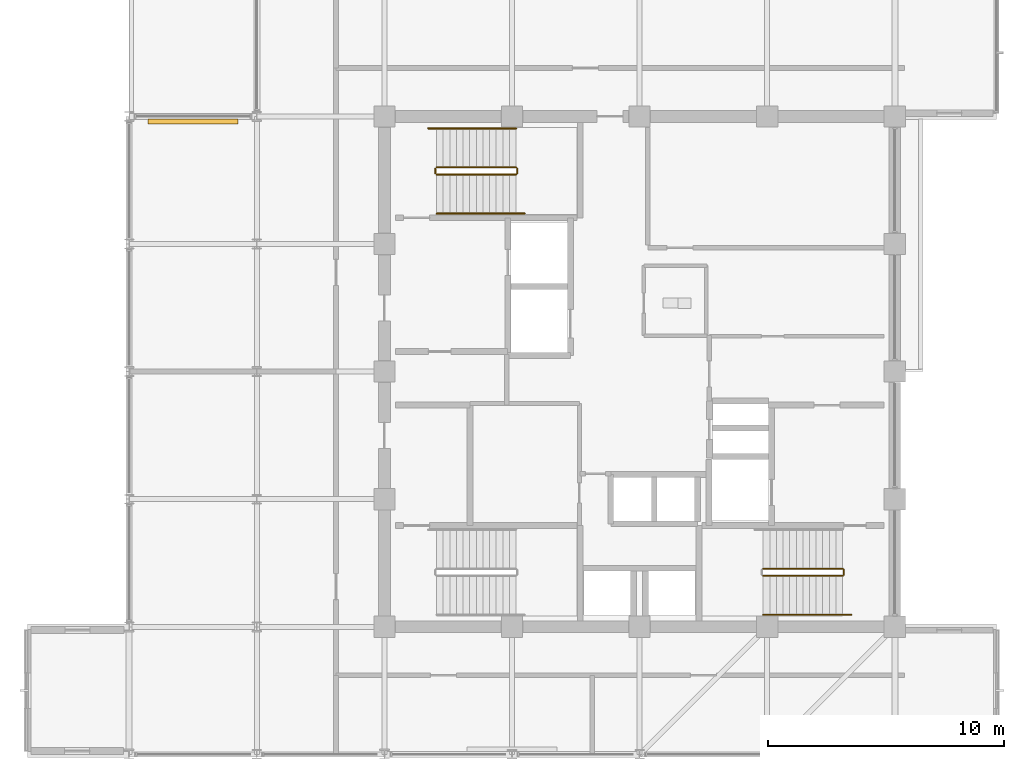
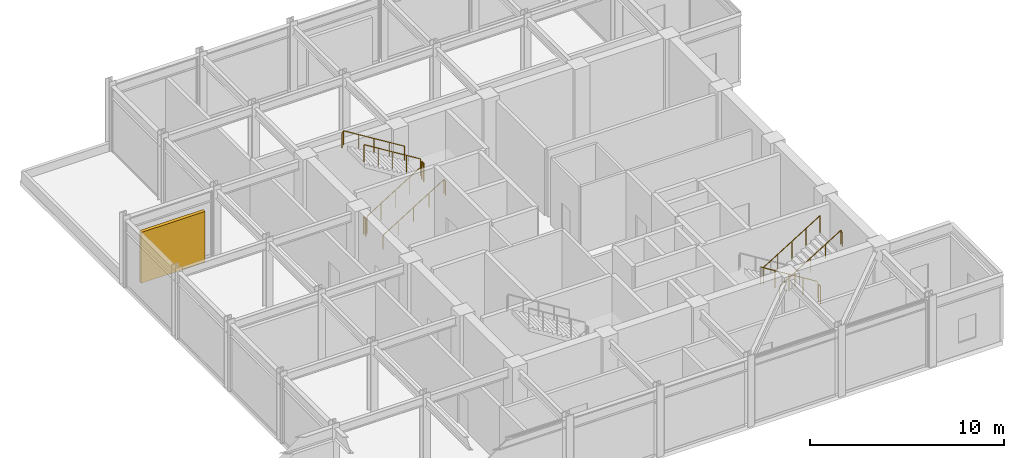
# One storey, part 20 of 22: 10 railings, 1 shading device.
"""IFC4 building model written with IfcOpenShell, lengths in metres."""

import ifcopenshell
import ifcopenshell.guid

model = None  # the IFC model being written
_history = None  # IfcOwnerHistory: only IFC2X3 demands one
_inside = {}  # id of a spatial element -> (the spatial element, [elements in it])
_under = {}  # id of a project, library or spatial element -> (it, [spatial elements below it])
_declared = {}  # id of a project -> (the project, [libraries it declares])
_typed = {}  # id of a type object -> (the type object, [elements of that type])
_made_of = {}  # id of a material, layer set ... -> (it, [elements and type objects made of it])


def new_model(schema):
    """Start an empty IFC model of exactly this schema.

    Asked for "IFC4X3", IfcOpenShell would pick the latest addendum, in which some entities
    have other attributes; the version numbers below select the first issue.
    IFC2X3 requires an IfcOwnerHistory on every rooted entity: one is made here for all.
    """
    global model, _history
    if schema == "IFC4X3":
        model = ifcopenshell.file(schema_version=(4, 3, 0, 0))
    else:
        model = ifcopenshell.file(schema=schema)
    _inside.clear()
    _under.clear()
    _declared.clear()
    _typed.clear()
    _made_of.clear()
    _history = None
    if model.schema == "IFC2X3":
        org = make("IfcOrganization", Name="unknown")
        user = make(
            "IfcPersonAndOrganization",
            ThePerson=make("IfcPerson", FamilyName="unknown"),
            TheOrganization=org,
        )
        app = make(
            "IfcApplication",
            ApplicationDeveloper=org,
            Version="unknown",
            ApplicationFullName="unknown",
            ApplicationIdentifier="unknown",
        )
        _history = make(
            "IfcOwnerHistory",
            OwningUser=user,
            OwningApplication=app,
            ChangeAction="ADDED",
            CreationDate=0,
        )
    return model


def make(cls, **values):
    """One entity of the class cls with the attributes given. An attribute that is None is left unset."""
    return model.create_entity(
        cls, **{name: value for name, value in values.items() if value is not None}
    )


def rooted(cls, **values):
    """An entity with a GlobalId (a new one), such as an element, a storey or a relation."""
    return make(cls, GlobalId=ifcopenshell.guid.new(), OwnerHistory=_history, **values)


def si_unit(unit_type, name, prefix=None):
    """IfcSIUnit, for example si_unit("LENGTHUNIT", "METRE", prefix="MILLI")."""
    return make("IfcSIUnit", UnitType=unit_type, Prefix=prefix, Name=name)


def assignment(units):
    """IfcUnitAssignment: the units of a project."""
    return None if units is None else make("IfcUnitAssignment", Units=units)


def point(xyz):
    """IfcCartesianPoint."""
    return None if xyz is None else make("IfcCartesianPoint", Coordinates=xyz)


def direction(xyz):
    """IfcDirection."""
    return None if xyz is None else make("IfcDirection", DirectionRatios=xyz)


def frame(location, z_axis=None, x_axis=None):
    """IfcAxis2Placement3D, a coordinate frame: its origin and axes. An axis left out is left unset."""
    return make(
        "IfcAxis2Placement3D",
        Location=point(location),
        Axis=direction(z_axis),
        RefDirection=direction(x_axis),
    )


def frame_2d(location, x_axis=None):
    """IfcAxis2Placement2D, a coordinate frame in the plane: its origin and x axis."""
    return make(
        "IfcAxis2Placement2D", Location=point(location), RefDirection=direction(x_axis)
    )


def origin():
    """The frame at (0, 0, 0) with its axes left unset."""
    return frame((0.0, 0.0, 0.0))


def origin_2d():
    """The frame at (0, 0) in the plane with its x axis left unset."""
    return frame_2d((0.0, 0.0))


def place(relative_to, where):
    """IfcLocalPlacement: puts the frame where relative to a parent placement (None: the world)."""
    return make(
        "IfcLocalPlacement", PlacementRelTo=relative_to, RelativePlacement=where
    )


def context(
    kind, dimensions, precision=None, world=None, true_north=None, identifier=None
):
    """IfcGeometricRepresentationContext, for example the 3D "Model" context."""
    return make(
        "IfcGeometricRepresentationContext",
        ContextIdentifier=identifier,
        ContextType=kind,
        CoordinateSpaceDimension=dimensions,
        Precision=precision,
        WorldCoordinateSystem=world,
        TrueNorth=true_north,
    )


def subcontext(parent, identifier, kind, view, scale=None):
    """IfcGeometricRepresentationSubContext, for example "Body" below "Model"."""
    return make(
        "IfcGeometricRepresentationSubContext",
        ContextIdentifier=identifier,
        ContextType=kind,
        ParentContext=parent,
        TargetScale=scale,
        TargetView=view,
    )


def project(units=None, contexts=None):
    """IfcProject with its units and contexts."""
    return rooted(
        "IfcProject",
        Name="project",
        RepresentationContexts=contexts,
        UnitsInContext=assignment(units),
    )


def spatial(cls, under=None, at=None, **own):
    """A site, building, storey or space (cls), placed at a placement, below another one or the project."""
    s = rooted(cls, ObjectPlacement=at, **own)
    if under is not None:
        _under.setdefault(under.id(), (under, []))[1].append(s)
    return s


def profile(cls, at=None, kind="AREA", **sizes):
    """A parametric profile (cls). Its sizes go by their IFC names, for example OverallWidth=200.0."""
    return make(cls, ProfileType=kind, Position=at, **sizes)


def rectangle(**sizes):
    """IfcRectangleProfileDef."""
    return profile("IfcRectangleProfileDef", **sizes)


def circle(**sizes):
    """IfcCircleProfileDef."""
    return profile("IfcCircleProfileDef", **sizes)


def extrude(swept, where, along, depth):
    """IfcExtrudedAreaSolid: the profile swept, set in the frame where, extruded along a direction by depth."""
    return make(
        "IfcExtrudedAreaSolid",
        SweptArea=swept,
        Position=where,
        ExtrudedDirection=direction(along),
        Depth=depth,
    )


def shape(context_of_items, identifier, shape_type, items):
    """IfcShapeRepresentation: the items that make up one representation, for example the "Body"."""
    return make(
        "IfcShapeRepresentation",
        ContextOfItems=context_of_items,
        RepresentationIdentifier=identifier,
        RepresentationType=shape_type,
        Items=items,
    )


def material(Name=None, Category=None):
    """IfcMaterial."""
    return make("IfcMaterial", Name=Name, Category=Category)


def made_of(thing, what):
    """Note that an element or type object is made of a material, layer set ...; save() writes the relation."""
    if what is not None:
        _made_of.setdefault(what.id(), (what, []))[1].append(thing)
    return thing


def type_object(cls, material=None, **own):
    """A type object (cls), such as IfcWallType, which elements share."""
    return made_of(rooted(cls, **own), material)


def element(
    cls,
    number,
    at=None,
    inside=None,
    cuts=None,
    type_object=None,
    material=None,
    context=None,
    identifier="Body",
    shape_type=None,
    held_by="IfcProductDefinitionShape",
    body=None,
    shapes=None,
    **own,
):
    """One element of the class cls, such as IfcWall. Its Tag is "e" and its number.

    at: its placement. inside: the storey or other place that contains it. cuts: it is an
    opening in that element (IfcRelVoidsElement). A single representation is given by context,
    identifier, shape_type and body (its items); several are given by shapes. held_by: the class
    of the entity that holds the representations. save() writes the other relations.
    """
    e = rooted(cls, Tag="e%d" % number, ObjectPlacement=at, **own)
    if body is not None:
        shapes = [shape(context, identifier, shape_type, body)]
    if shapes is not None:
        e.Representation = make(held_by, Representations=shapes)
    if inside is not None:
        _inside.setdefault(inside.id(), (inside, []))[1].append(e)
    if cuts is not None:
        rooted(
            "IfcRelVoidsElement", RelatingBuildingElement=cuts, RelatedOpeningElement=e
        )
    if type_object is not None:
        _typed.setdefault(type_object.id(), (type_object, []))[1].append(e)
    return made_of(e, material)


def aggregate(whole, parts):
    """IfcRelAggregates: a whole, such as a stair, and the parts it consists of."""
    return rooted("IfcRelAggregates", RelatingObject=whole, RelatedObjects=parts)


def save(model, path):
    """Write the relations noted so far, then the file.

    IfcRelAggregates (storeys below a building ...), IfcRelContainedInSpatialStructure (elements
    in a storey), IfcRelDefinesByType, IfcRelAssociatesMaterial and IfcRelDeclares: one each for
    every whole, place, type object, material and project.
    """
    for whole, parts in _under.values():
        aggregate(whole, parts)
    for where, things in _inside.values():
        rooted(
            "IfcRelContainedInSpatialStructure",
            RelatedElements=things,
            RelatingStructure=where,
        )
    for kind, things in _typed.values():
        rooted("IfcRelDefinesByType", RelatedObjects=things, RelatingType=kind)
    for what, things in _made_of.values():
        rooted("IfcRelAssociatesMaterial", RelatedObjects=things, RelatingMaterial=what)
    for by, libraries in _declared.values():
        rooted("IfcRelDeclares", RelatingContext=by, RelatedDefinitions=libraries)
    model.write(path)


model = new_model("IFC4")

# Units and contexts
model_context = context("Model", 3, precision=1e-05, world=origin(), true_north=direction((0.0, 1.0)))
body_context = subcontext(model_context, "Body", "Model", "MODEL_VIEW")
ifc_project = project(units=[si_unit("LENGTHUNIT", "METRE"), si_unit("AREAUNIT", "SQUARE_METRE"), si_unit("VOLUMEUNIT", "CUBIC_METRE"), si_unit("PLANEANGLEUNIT", "RADIAN"), si_unit("MASSUNIT", "GRAM", prefix="KILO")], contexts=[model_context])

# Site, building, storey
site_placement = place(None, origin())
site = spatial("IfcSite", under=ifc_project, at=site_placement, CompositionType="ELEMENT")
building_placement = place(site_placement, origin())
building = spatial("IfcBuilding", under=site, at=building_placement, Name="Surkhivell Harbour Commons", CompositionType="ELEMENT")
storey_placement = place(building_placement, frame((0.0, 0.0, 342.0)))
storey = spatial("IfcBuildingStorey", under=building, at=storey_placement, Name="L89", CompositionType="ELEMENT", Elevation=342.0)

# Railings
ifc_material_1 = material(Name="Galvanised and painted steel S355 guard rail", Category="steel")
railing_type_1 = type_object("IfcRailingType", Name="RAL-ST-GRD1100", PredefinedType="GUARDRAIL", material=ifc_material_1)
railing_1_placement = place(storey_placement, frame((-8.590087890625, 8.340087890625, 0.173095703125)))
element("IfcRailing", 1, at=railing_1_placement, inside=storey, type_object=railing_type_1, Name="L89 ST1 stair guard 1", PredefinedType="GUARDRAIL", context=body_context, shape_type="SweptSolid", body=[
    extrude(circle(Radius=0.02392578125, at=origin_2d()), frame((0.0, 0.0, 1.076171875), z_axis=(0.850623216509, 0.0, 0.525775754039), x_axis=(0.0, 1.0, 0.0)), (0.0, 0.0, 1.0), 3.9501953125),
    extrude(circle(Radius=0.02099609375, at=origin_2d()), origin(), (0.0, 0.0, 1.0), 1.052001953125),
    extrude(circle(Radius=0.02099609375, at=origin_2d()), frame((0.840087890625, 0.0, 0.519287109375)), (0.0, 0.0, 1.0), 1.052001953125),
    extrude(circle(Radius=0.02099609375, at=origin_2d()), frame((1.68017578125, 0.0, 1.03857421875)), (0.0, 0.0, 1.0), 1.052001953125),
    extrude(circle(Radius=0.02099609375, at=origin_2d()), frame((2.52001953125, 0.0, 1.5576171875)), (0.0, 0.0, 1.0), 1.052001953125),
    extrude(circle(Radius=0.02099609375, at=origin_2d()), frame((3.360107421875, 0.0, 2.076904296875)), (0.0, 0.0, 1.0), 1.052001953125),
])
railing_2_placement = place(storey_placement, frame((-5.179931640625, 8.389892578125, 2.25)))
element("IfcRailing", 2, at=railing_2_placement, inside=storey, type_object=railing_type_1, Name="L89 ST1 stair guard 2", PredefinedType="GUARDRAIL", context=body_context, shape_type="SweptSolid", body=[
    extrude(circle(Radius=0.02392578125, at=origin_2d()), frame((0.0, 0.0, 1.076171875), z_axis=(0.0, 1.0, 0.0), x_axis=(-1.0, 0.0, 0.0)), (0.0, 0.0, 1.0), 0.2001953125),
    extrude(circle(Radius=0.02099609375, at=origin_2d()), origin(), (0.0, 0.0, 1.0), 1.052001953125),
    extrude(circle(Radius=0.02099609375, at=origin_2d()), frame((0.0, 0.2001953125, 0.0)), (0.0, 0.0, 1.0), 1.052001953125),
])
railing_3_placement = place(storey_placement, frame((-5.22998046875, 8.639892578125, 2.423095703125)))
element("IfcRailing", 3, at=railing_3_placement, inside=storey, type_object=railing_type_1, Name="L89 ST1 stair guard 3", PredefinedType="GUARDRAIL", context=body_context, shape_type="SweptSolid", body=[
    extrude(circle(Radius=0.02392578125, at=origin_2d()), frame((0.0, 0.0, 1.076171875), z_axis=(-0.850623216509, 0.0, 0.525775754039), x_axis=(0.0, -1.0, 0.0)), (0.0, 0.0, 1.0), 3.9501953125),
    extrude(circle(Radius=0.02099609375, at=origin_2d()), origin(), (0.0, 0.0, 1.0), 1.052001953125),
    extrude(circle(Radius=0.02099609375, at=origin_2d()), frame((-0.840087890625, 0.0, 0.519287109375)), (0.0, 0.0, 1.0), 1.052001953125),
    extrude(circle(Radius=0.02099609375, at=origin_2d()), frame((-1.68017578125, 0.0, 1.03857421875)), (0.0, 0.0, 1.0), 1.052001953125),
    extrude(circle(Radius=0.02099609375, at=origin_2d()), frame((-2.52001953125, 0.0, 1.5576171875)), (0.0, 0.0, 1.0), 1.052001953125),
    extrude(circle(Radius=0.02099609375, at=origin_2d()), frame((-3.360107421875, 0.0, 2.076904296875)), (0.0, 0.0, 1.0), 1.052001953125),
])
railing_4_placement = place(storey_placement, frame((-8.639892578125, 8.389892578125, 0.0)))
element("IfcRailing", 4, at=railing_4_placement, inside=storey, type_object=railing_type_1, Name="L89 ST1 stair guard 4", PredefinedType="GUARDRAIL", context=body_context, shape_type="SweptSolid", body=[
    extrude(circle(Radius=0.02392578125, at=origin_2d()), frame((0.0, 0.0, 1.076171875), z_axis=(0.0, 1.0, 0.0), x_axis=(-1.0, 0.0, 0.0)), (0.0, 0.0, 1.0), 0.2001953125),
    extrude(circle(Radius=0.02099609375, at=origin_2d()), origin(), (0.0, 0.0, 1.0), 1.052001953125),
    extrude(circle(Radius=0.02099609375, at=origin_2d()), frame((0.0, 0.2001953125, 0.0)), (0.0, 0.0, 1.0), 1.052001953125),
])
railing_5_placement = place(storey_placement, frame((8.590087890625, -8.340087890625, 0.173095703125)))
element("IfcRailing", 5, at=railing_5_placement, inside=storey, type_object=railing_type_1, Name="L89 ST2 stair guard 1", PredefinedType="GUARDRAIL", context=body_context, shape_type="SweptSolid", body=[
    extrude(circle(Radius=0.02392578125, at=origin_2d()), frame((0.0, 0.0, 1.076171875), z_axis=(-0.850623216509, 0.0, 0.525775754039), x_axis=(0.0, -1.0, 0.0)), (0.0, 0.0, 1.0), 3.9501953125),
    extrude(circle(Radius=0.02099609375, at=origin_2d()), origin(), (0.0, 0.0, 1.0), 1.052001953125),
    extrude(circle(Radius=0.02099609375, at=origin_2d()), frame((-0.840087890625, 0.0, 0.519287109375)), (0.0, 0.0, 1.0), 1.052001953125),
    extrude(circle(Radius=0.02099609375, at=origin_2d()), frame((-1.68017578125, 0.0, 1.03857421875)), (0.0, 0.0, 1.0), 1.052001953125),
    extrude(circle(Radius=0.02099609375, at=origin_2d()), frame((-2.52001953125, 0.0, 1.5576171875)), (0.0, 0.0, 1.0), 1.052001953125),
    extrude(circle(Radius=0.02099609375, at=origin_2d()), frame((-3.360107421875, 0.0, 2.076904296875)), (0.0, 0.0, 1.0), 1.052001953125),
])
railing_6_placement = place(storey_placement, frame((5.22998046875, -8.639892578125, 2.423095703125)))
element("IfcRailing", 6, at=railing_6_placement, inside=storey, type_object=railing_type_1, Name="L89 ST2 stair guard 3", PredefinedType="GUARDRAIL", context=body_context, shape_type="SweptSolid", body=[
    extrude(circle(Radius=0.02392578125, at=origin_2d()), frame((0.0, 0.0, 1.076171875), z_axis=(0.850623216509, 0.0, 0.525775754039), x_axis=(0.0, 1.0, 0.0)), (0.0, 0.0, 1.0), 3.9501953125),
    extrude(circle(Radius=0.02099609375, at=origin_2d()), origin(), (0.0, 0.0, 1.0), 1.052001953125),
    extrude(circle(Radius=0.02099609375, at=origin_2d()), frame((0.840087890625, 0.0, 0.519287109375)), (0.0, 0.0, 1.0), 1.052001953125),
    extrude(circle(Radius=0.02099609375, at=origin_2d()), frame((1.68017578125, 0.0, 1.03857421875)), (0.0, 0.0, 1.0), 1.052001953125),
    extrude(circle(Radius=0.02099609375, at=origin_2d()), frame((2.52001953125, 0.0, 1.5576171875)), (0.0, 0.0, 1.0), 1.052001953125),
    extrude(circle(Radius=0.02099609375, at=origin_2d()), frame((3.360107421875, 0.0, 2.076904296875)), (0.0, 0.0, 1.0), 1.052001953125),
])
railing_7_placement = place(storey_placement, frame((8.639892578125, -8.389892578125, 0.0)))
element("IfcRailing", 7, at=railing_7_placement, inside=storey, type_object=railing_type_1, Name="L89 ST2 stair guard 4", PredefinedType="GUARDRAIL", context=body_context, shape_type="SweptSolid", body=[
    extrude(circle(Radius=0.02392578125, at=origin_2d()), frame((0.0, 0.0, 1.076171875), z_axis=(0.0, -1.0, 0.0), x_axis=(1.0, 0.0, 0.0)), (0.0, 0.0, 1.0), 0.2001953125),
    extrude(circle(Radius=0.02099609375, at=origin_2d()), origin(), (0.0, 0.0, 1.0), 1.052001953125),
    extrude(circle(Radius=0.02099609375, at=origin_2d()), frame((0.0, -0.2001953125, 0.0)), (0.0, 0.0, 1.0), 1.052001953125),
])
ifc_material_2 = material(Name="Brushed stainless steel S355 handrail", Category="steel")
railing_type_2 = type_object("IfcRailingType", Name="RAL-ST-HND900", PredefinedType="HANDRAIL", material=ifc_material_2)
railing_8_placement = place(storey_placement, frame((-8.590087890625, 6.68994140625, 0.173095703125)))
element("IfcRailing", 8, at=railing_8_placement, inside=storey, type_object=railing_type_2, Name="L89 ST1 stair handrail 1", PredefinedType="HANDRAIL", context=body_context, shape_type="SweptSolid", body=[
    extrude(circle(Radius=0.02392578125, at=origin_2d()), frame((0.0, 0.0, 0.8759765625), z_axis=(0.850622404505, 0.0, 0.525777067734), x_axis=(0.0, 1.0, 0.0)), (0.0, 0.0, 1.0), 4.279296875),
    extrude(circle(Radius=0.02392578125, at=origin_2d()), frame((3.64013671875, 0.0, 3.1259765625), z_axis=(0.418814502111, 0.0, -0.908071810388), x_axis=(0.0, 1.0, 0.0)), (0.0, 0.0, 1.0), 0.190673828125),
    extrude(circle(Radius=0.02099609375, at=origin_2d()), origin(), (0.0, 0.0, 1.0), 0.851806640625),
    extrude(circle(Radius=0.02099609375, at=origin_2d()), frame((0.91015625, 0.0, 0.5625)), (0.0, 0.0, 1.0), 0.851806640625),
    extrude(circle(Radius=0.02099609375, at=origin_2d()), frame((1.820068359375, 0.0, 1.125)), (0.0, 0.0, 1.0), 0.851806640625),
    extrude(circle(Radius=0.02099609375, at=origin_2d()), frame((2.72998046875, 0.0, 1.6875)), (0.0, 0.0, 1.0), 0.851806640625),
    extrude(circle(Radius=0.02099609375, at=origin_2d()), frame((3.64013671875, 0.0, 2.25)), (0.0, 0.0, 1.0), 0.851806640625),
    extrude(circle(Radius=0.02099609375, at=origin_2d()), frame((3.719970703125, 0.0, 2.076904296875)), (0.0, 0.0, 1.0), 0.851806640625),
])
railing_9_placement = place(storey_placement, frame((-5.22998046875, 10.2900390625, 2.423095703125)))
element("IfcRailing", 9, at=railing_9_placement, inside=storey, type_object=railing_type_2, Name="L89 ST1 stair handrail 2", PredefinedType="HANDRAIL", context=body_context, shape_type="SweptSolid", body=[
    extrude(circle(Radius=0.02392578125, at=origin_2d()), frame((0.0, 0.0, 0.8759765625), z_axis=(-0.850622404505, 0.0, 0.525777067734), x_axis=(0.0, -1.0, 0.0)), (0.0, 0.0, 1.0), 4.279296875),
    extrude(circle(Radius=0.02392578125, at=origin_2d()), frame((-3.64013671875, 0.0, 3.1259765625), z_axis=(-0.418814502111, 0.0, -0.908071810388), x_axis=(0.0, -1.0, 0.0)), (0.0, 0.0, 1.0), 0.190673828125),
    extrude(circle(Radius=0.02099609375, at=origin_2d()), origin(), (0.0, 0.0, 1.0), 0.851806640625),
    extrude(circle(Radius=0.02099609375, at=origin_2d()), frame((-0.91015625, 0.0, 0.5625)), (0.0, 0.0, 1.0), 0.851806640625),
    extrude(circle(Radius=0.02099609375, at=origin_2d()), frame((-1.820068359375, 0.0, 1.125)), (0.0, 0.0, 1.0), 0.851806640625),
    extrude(circle(Radius=0.02099609375, at=origin_2d()), frame((-2.72998046875, 0.0, 1.6875)), (0.0, 0.0, 1.0), 0.851806640625),
    extrude(circle(Radius=0.02099609375, at=origin_2d()), frame((-3.64013671875, 0.0, 2.25)), (0.0, 0.0, 1.0), 0.851806640625),
    extrude(circle(Radius=0.02099609375, at=origin_2d()), frame((-3.719970703125, 0.0, 2.076904296875)), (0.0, 0.0, 1.0), 0.851806640625),
])
railing_10_placement = place(storey_placement, frame((5.22998046875, -10.2900390625, 2.423095703125)))
element("IfcRailing", 10, at=railing_10_placement, inside=storey, type_object=railing_type_2, Name="L89 ST2 stair handrail 2", PredefinedType="HANDRAIL", context=body_context, shape_type="SweptSolid", body=[
    extrude(circle(Radius=0.02392578125, at=origin_2d()), frame((0.0, 0.0, 0.8759765625), z_axis=(0.850622404505, 0.0, 0.525777067734), x_axis=(0.0, 1.0, 0.0)), (0.0, 0.0, 1.0), 4.279296875),
    extrude(circle(Radius=0.02392578125, at=origin_2d()), frame((3.64013671875, 0.0, 3.1259765625), z_axis=(0.418814502111, 0.0, -0.908071810388), x_axis=(0.0, 1.0, 0.0)), (0.0, 0.0, 1.0), 0.190673828125),
    extrude(circle(Radius=0.02099609375, at=origin_2d()), origin(), (0.0, 0.0, 1.0), 0.851806640625),
    extrude(circle(Radius=0.02099609375, at=origin_2d()), frame((0.91015625, 0.0, 0.5625)), (0.0, 0.0, 1.0), 0.851806640625),
    extrude(circle(Radius=0.02099609375, at=origin_2d()), frame((1.820068359375, 0.0, 1.125)), (0.0, 0.0, 1.0), 0.851806640625),
    extrude(circle(Radius=0.02099609375, at=origin_2d()), frame((2.72998046875, 0.0, 1.6875)), (0.0, 0.0, 1.0), 0.851806640625),
    extrude(circle(Radius=0.02099609375, at=origin_2d()), frame((3.64013671875, 0.0, 2.25)), (0.0, 0.0, 1.0), 0.851806640625),
    extrude(circle(Radius=0.02099609375, at=origin_2d()), frame((3.719970703125, 0.0, 2.076904296875)), (0.0, 0.0, 1.0), 0.851806640625),
])

# Shading device
ifc_material_3 = material(Name="Crown pale-metal storm louvre assembly", Category="aluminium")
shading_device_type = type_object("IfcShadingDeviceType", Name="SHD-LOUV-CRN", PredefinedType="JALOUSIE", material=ifc_material_3)
shading_device_placement = place(storey_placement, frame((-18.89990234375, 10.580078125, 0.0), z_axis=(0.0, 0.0, 1.0), x_axis=(1.0, 0.0, 0.0)))
element("IfcShadingDevice", 11, at=shading_device_placement, inside=storey, type_object=shading_device_type, Name="L89 Crown Acoustic Louvre Screen 01", PredefinedType="JALOUSIE", context=body_context, shape_type="SweptSolid", body=[
    extrude(rectangle(XDim=3.800048828125, YDim=0.199951171875, at=origin_2d()), origin(), (0.0, 0.0, 1.0), 3.199951171875),
])

save(model, "model.ifc")
